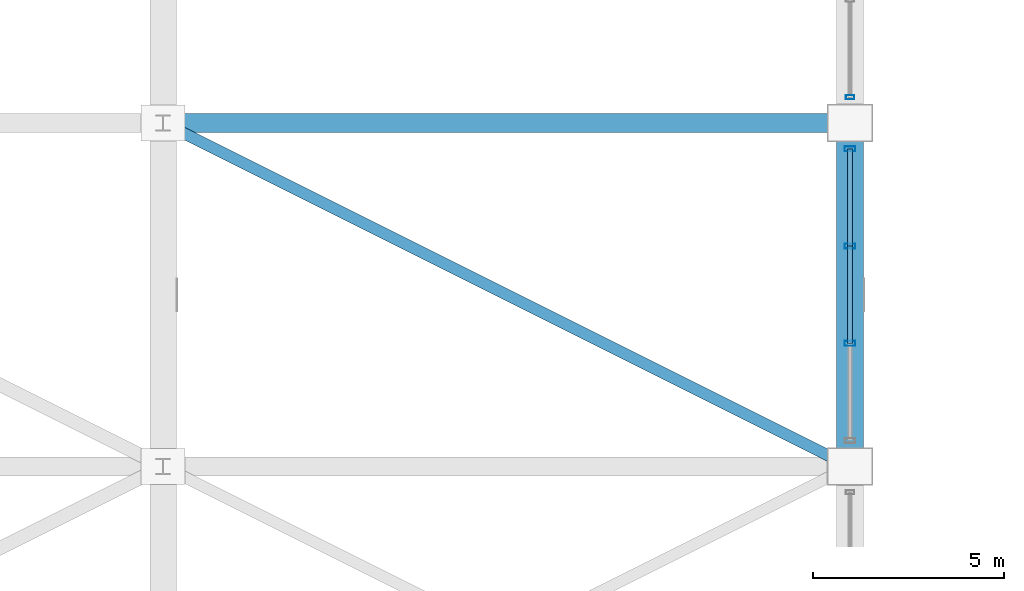
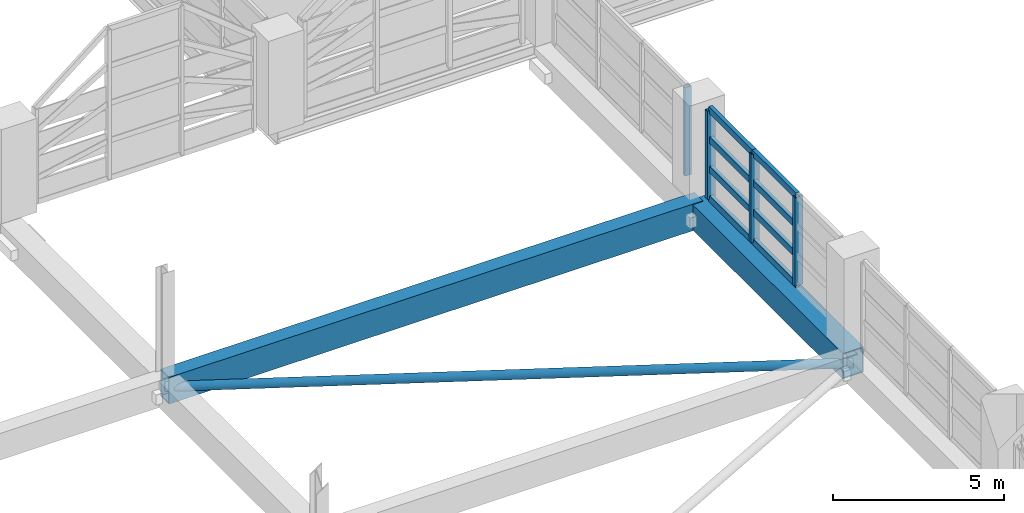
# One storey, part 51 of 116: 13 members, 2 beams, 2 elements without a shape of their own.
"""IFC4 building model written with IfcOpenShell, lengths in metres."""

from ifc_helpers import new_model, si_unit, direction, frame, origin, origin_2d, place, context, subcontext, project, spatial, hollow_rectangle, hollow_circle, extrude, material, material_profile, profile_set, type_object, element, aggregate, save


model = new_model("IFC4")

# Units and contexts
model_context = context("Model", 3, precision=1e-05, world=origin(), true_north=direction((0.0, 1.0)))
body_context = subcontext(model_context, "Body", "Model", "MODEL_VIEW")
ifc_project = project(units=[si_unit("LENGTHUNIT", "METRE"), si_unit("AREAUNIT", "SQUARE_METRE"), si_unit("VOLUMEUNIT", "CUBIC_METRE"), si_unit("PLANEANGLEUNIT", "RADIAN"), si_unit("MASSUNIT", "GRAM", prefix="KILO")], contexts=[model_context])

# Site, building, storey
site_placement = place(None, origin())
site = spatial("IfcSite", under=ifc_project, at=site_placement, CompositionType="ELEMENT")
building_placement = place(site_placement, origin())
building = spatial("IfcBuilding", under=site, at=building_placement, Name="Chuanluo Vaults Station", CompositionType="ELEMENT")
storey_placement = place(building_placement, frame((0.0, 0.0, 10.800048828125)))
storey = spatial("IfcBuildingStorey", under=building, at=storey_placement, Name="L02", CompositionType="ELEMENT", Elevation=10.800048828125)

# Beams
ifc_material_1 = material(Name="Steel Q390C", Category="steel")
ifc_material_profile_1 = material_profile(ifc_material_1, hollow_rectangle(XDim=0.5, YDim=0.949951171875, WallThickness=0.028076171875, at=origin_2d()))
ifc_profile_set_1 = profile_set([ifc_material_profile_1], Name="Steel Q390C")
beam_type_1 = type_object("IfcBeamType", Name="BM-TT-TIE", PredefinedType="USERDEFINED", material=ifc_profile_set_1)
beam_1_placement = place(storey_placement, frame((108.0, 94.5, -0.85009765625), z_axis=(1.0, 0.0, 0.0), x_axis=(0.0, 1.0, 0.0)))
element("IfcBeam", 1, at=beam_1_placement, inside=storey, type_object=beam_type_1, Name="Transfer truss top tie girder 7-94", ObjectType="GIRDER", PredefinedType="USERDEFINED", context=body_context, shape_type="SweptSolid", body=[
    extrude(hollow_rectangle(XDim=0.5, YDim=0.949951171875, WallThickness=0.028076171875, at=origin_2d()), origin(), (0.0, 0.0, 1.0), 18.0),
])
ifc_material_2 = material(Name="Steel Q390C", Category="steel")
ifc_material_profile_2 = material_profile(ifc_material_2, hollow_rectangle(XDim=0.699951171875, YDim=0.89990234375, WallThickness=0.035888671875, at=origin_2d()))
ifc_profile_set_2 = profile_set([ifc_material_profile_2], Name="Steel Q390C")
beam_type_2 = type_object("IfcBeamType", Name="BM-TT-TOP", PredefinedType="USERDEFINED", material=ifc_profile_set_2)
beam_2_placement = place(storey_placement, frame((126.0, 85.5, -0.85009765625), z_axis=(0.0, 1.0, 0.0), x_axis=(-1.0, 0.0, 0.0)))
element("IfcBeam", 2, at=beam_2_placement, inside=storey, type_object=beam_type_2, Name="Transfer truss TT-8 top chord 3", ObjectType="GIRDER", PredefinedType="USERDEFINED", context=body_context, shape_type="SweptSolid", body=[
    extrude(hollow_rectangle(XDim=0.699951171875, YDim=0.89990234375, WallThickness=0.035888671875, at=origin_2d()), origin(), (0.0, 0.0, 1.0), 9.0),
])

# Curtain wall, member
ifc_material_3 = material(Name="Anodised aluminium 6063-T6", Category="aluminium")
curtain_wall_type_1 = type_object("IfcCurtainWallType", Name="CW-SYS-20", PredefinedType="NOTDEFINED", material=ifc_material_3)
curtain_wall_1_placement = place(storey_placement, origin())
curtain_wall_1 = element("IfcCurtainWall", 3, at=curtain_wall_1_placement, inside=storey, type_object=curtain_wall_type_1, Name="Train shed east clerestory CW 94", PredefinedType="NOTDEFINED")
ifc_material_4 = material(Name="Anodised aluminium 6063-T6", Category="aluminium")
ifc_material_profile_3 = material_profile(ifc_material_4, hollow_rectangle(XDim=0.10498046875, YDim=0.219970703125, WallThickness=0.006103515625, at=origin_2d()))
ifc_profile_set_3 = profile_set([ifc_material_profile_3], Name="Anodised aluminium 6063-T6")
member_type_1 = type_object("IfcMemberType", Name="CWM-140", PredefinedType="MULLION", material=ifc_profile_set_3)
member_1_placement = place(storey_placement, frame((126.0, 95.175048828125, 0.0), z_axis=(0.0, 0.0, 1.0), x_axis=(0.0, -1.0, 0.0)))
member_1 = element("IfcMember", 4, at=member_1_placement, type_object=member_type_1, Name="Train shed east clerestory CW 94 mullion 4", PredefinedType="MULLION", context=body_context, shape_type="SweptSolid", body=[
    extrude(hollow_rectangle(XDim=0.10498046875, YDim=0.219970703125, WallThickness=0.006103515625, at=origin_2d()), origin(), (0.0, 0.0, 1.0), 3.14990234375),
])
aggregate(curtain_wall_1, [member_1])

# Curtain wall, members
ifc_material_5 = material(Name="Anodised aluminium 6063-T6", Category="aluminium")
curtain_wall_type_2 = type_object("IfcCurtainWallType", Name="CW-SYS-18", PredefinedType="NOTDEFINED", material=ifc_material_5)
curtain_wall_2_placement = place(storey_placement, origin())
curtain_wall_2 = element("IfcCurtainWall", 5, at=curtain_wall_2_placement, inside=storey, type_object=curtain_wall_type_2, Name="Train shed east clerestory CW 85", PredefinedType="NOTDEFINED")
ifc_material_6 = material(Name="Anodised aluminium 6063-T6", Category="aluminium")
ifc_material_profile_4 = material_profile(ifc_material_6, hollow_rectangle(XDim=0.1298828125, YDim=0.280029296875, WallThickness=0.007080078125, at=origin_2d()))
ifc_profile_set_4 = profile_set([ifc_material_profile_4], Name="Anodised aluminium 6063-T6")
member_type_2 = type_object("IfcMemberType", Name="CWM-180", PredefinedType="MULLION", material=ifc_profile_set_4)
member_2_placement = place(storey_placement, frame((126.0, 93.824951171875, 0.0), z_axis=(0.0, 0.0, 1.0), x_axis=(0.0, -1.0, 0.0)))
member_2 = element("IfcMember", 6, at=member_2_placement, type_object=member_type_2, Name="Train shed east clerestory CW 85 mullion 1", PredefinedType="MULLION", context=body_context, shape_type="SweptSolid", body=[
    extrude(hollow_rectangle(XDim=0.1298828125, YDim=0.280029296875, WallThickness=0.007080078125, at=origin_2d()), origin(), (0.0, 0.0, 1.0), 3.14990234375),
])
member_3_placement = place(storey_placement, frame((126.0, 91.27490234375, 0.0), z_axis=(0.0, 0.0, 1.0), x_axis=(0.0, -1.0, 0.0)))
member_3 = element("IfcMember", 7, at=member_3_placement, type_object=member_type_2, Name="Train shed east clerestory CW 85 mullion 2", PredefinedType="MULLION", context=body_context, shape_type="SweptSolid", body=[
    extrude(hollow_rectangle(XDim=0.1298828125, YDim=0.280029296875, WallThickness=0.007080078125, at=origin_2d()), origin(), (0.0, 0.0, 1.0), 3.14990234375),
])
member_4_placement = place(storey_placement, frame((126.0, 88.72509765625, 0.0), z_axis=(0.0, 0.0, 1.0), x_axis=(0.0, -1.0, 0.0)))
member_4 = element("IfcMember", 8, at=member_4_placement, type_object=member_type_2, Name="Train shed east clerestory CW 85 mullion 3", PredefinedType="MULLION", context=body_context, shape_type="SweptSolid", body=[
    extrude(hollow_rectangle(XDim=0.1298828125, YDim=0.280029296875, WallThickness=0.007080078125, at=origin_2d()), origin(), (0.0, 0.0, 1.0), 3.14990234375),
])
ifc_material_7 = material(Name="Anodised aluminium 6063-T6", Category="aluminium")
ifc_material_profile_5 = material_profile(ifc_material_7, hollow_rectangle(XDim=0.1298828125, YDim=0.22998046875, WallThickness=0.006103515625, at=origin_2d()))
ifc_profile_set_5 = profile_set([ifc_material_profile_5], Name="Anodised aluminium 6063-T6")
member_type_3 = type_object("IfcMemberType", Name="CWT-150", PredefinedType="USERDEFINED", material=ifc_profile_set_5)
member_5_placement = place(storey_placement, frame((126.0, 93.824951171875, 0.0), z_axis=(0.0, -1.0, 0.0), x_axis=(1.0, 0.0, 0.0)))
member_5 = element("IfcMember", 9, at=member_5_placement, type_object=member_type_3, Name="Train shed east clerestory CW 85 transom 1.1", ObjectType="TRANSOM", PredefinedType="USERDEFINED", context=body_context, shape_type="SweptSolid", body=[
    extrude(hollow_rectangle(XDim=0.1298828125, YDim=0.22998046875, WallThickness=0.006103515625, at=origin_2d()), origin(), (0.0, 0.0, 1.0), 2.550048828125),
])
member_6_placement = place(storey_placement, frame((126.0, 93.824951171875, 1.050048828125), z_axis=(0.0, -1.0, 0.0), x_axis=(1.0, 0.0, 0.0)))
member_6 = element("IfcMember", 10, at=member_6_placement, type_object=member_type_3, Name="Train shed east clerestory CW 85 transom 1.2", ObjectType="TRANSOM", PredefinedType="USERDEFINED", context=body_context, shape_type="SweptSolid", body=[
    extrude(hollow_rectangle(XDim=0.1298828125, YDim=0.22998046875, WallThickness=0.006103515625, at=origin_2d()), origin(), (0.0, 0.0, 1.0), 2.550048828125),
])
member_7_placement = place(storey_placement, frame((126.0, 93.824951171875, 2.099853515625), z_axis=(0.0, -1.0, 0.0), x_axis=(1.0, 0.0, 0.0)))
member_7 = element("IfcMember", 11, at=member_7_placement, type_object=member_type_3, Name="Train shed east clerestory CW 85 transom 1.3", ObjectType="TRANSOM", PredefinedType="USERDEFINED", context=body_context, shape_type="SweptSolid", body=[
    extrude(hollow_rectangle(XDim=0.1298828125, YDim=0.22998046875, WallThickness=0.006103515625, at=origin_2d()), origin(), (0.0, 0.0, 1.0), 2.550048828125),
])
member_8_placement = place(storey_placement, frame((126.0, 93.824951171875, 3.14990234375), z_axis=(0.0, -1.0, 0.0), x_axis=(1.0, 0.0, 0.0)))
member_8 = element("IfcMember", 12, at=member_8_placement, type_object=member_type_3, Name="Train shed east clerestory CW 85 transom 1.4", ObjectType="TRANSOM", PredefinedType="USERDEFINED", context=body_context, shape_type="SweptSolid", body=[
    extrude(hollow_rectangle(XDim=0.1298828125, YDim=0.22998046875, WallThickness=0.006103515625, at=origin_2d()), origin(), (0.0, 0.0, 1.0), 2.550048828125),
])
member_9_placement = place(storey_placement, frame((126.0, 91.27490234375, 0.0), z_axis=(0.0, -1.0, 0.0), x_axis=(1.0, 0.0, 0.0)))
member_9 = element("IfcMember", 13, at=member_9_placement, type_object=member_type_3, Name="Train shed east clerestory CW 85 transom 2.1", ObjectType="TRANSOM", PredefinedType="USERDEFINED", context=body_context, shape_type="SweptSolid", body=[
    extrude(hollow_rectangle(XDim=0.1298828125, YDim=0.22998046875, WallThickness=0.006103515625, at=origin_2d()), origin(), (0.0, 0.0, 1.0), 2.5498046875),
])
member_10_placement = place(storey_placement, frame((126.0, 91.27490234375, 1.050048828125), z_axis=(0.0, -1.0, 0.0), x_axis=(1.0, 0.0, 0.0)))
member_10 = element("IfcMember", 14, at=member_10_placement, type_object=member_type_3, Name="Train shed east clerestory CW 85 transom 2.2", ObjectType="TRANSOM", PredefinedType="USERDEFINED", context=body_context, shape_type="SweptSolid", body=[
    extrude(hollow_rectangle(XDim=0.1298828125, YDim=0.22998046875, WallThickness=0.006103515625, at=origin_2d()), origin(), (0.0, 0.0, 1.0), 2.5498046875),
])
member_11_placement = place(storey_placement, frame((126.0, 91.27490234375, 2.099853515625), z_axis=(0.0, -1.0, 0.0), x_axis=(1.0, 0.0, 0.0)))
member_11 = element("IfcMember", 15, at=member_11_placement, type_object=member_type_3, Name="Train shed east clerestory CW 85 transom 2.3", ObjectType="TRANSOM", PredefinedType="USERDEFINED", context=body_context, shape_type="SweptSolid", body=[
    extrude(hollow_rectangle(XDim=0.1298828125, YDim=0.22998046875, WallThickness=0.006103515625, at=origin_2d()), origin(), (0.0, 0.0, 1.0), 2.5498046875),
])
member_12_placement = place(storey_placement, frame((126.0, 91.27490234375, 3.14990234375), z_axis=(0.0, -1.0, 0.0), x_axis=(1.0, 0.0, 0.0)))
member_12 = element("IfcMember", 16, at=member_12_placement, type_object=member_type_3, Name="Train shed east clerestory CW 85 transom 2.4", ObjectType="TRANSOM", PredefinedType="USERDEFINED", context=body_context, shape_type="SweptSolid", body=[
    extrude(hollow_rectangle(XDim=0.1298828125, YDim=0.22998046875, WallThickness=0.006103515625, at=origin_2d()), origin(), (0.0, 0.0, 1.0), 2.5498046875),
])
aggregate(curtain_wall_2, [member_2, member_3, member_4, member_5, member_6, member_7, member_8, member_9, member_10, member_11, member_12])

# Member
ifc_material_8 = material(Name="Steel Q355C", Category="steel")
ifc_material_profile_6 = material_profile(ifc_material_8, hollow_circle(Radius=0.1494140625, WallThickness=0.011962890625, at=origin_2d()))
ifc_profile_set_6 = profile_set([ifc_material_profile_6], Name="Steel Q355C")
member_type_4 = type_object("IfcMemberType", Name="MEM-CHS-299", PredefinedType="BRACE", material=ifc_profile_set_6)
member_13_placement = place(storey_placement, frame((108.0, 94.5, -0.85009765625), z_axis=(0.894427191, -0.4472135955, 0.0), x_axis=(0.4472135955, 0.894427191, 0.0)))
element("IfcMember", 17, at=member_13_placement, inside=storey, type_object=member_type_4, Name="Over-track diaphragm brace 7-94", PredefinedType="BRACE", context=body_context, shape_type="SweptSolid", body=[
    extrude(hollow_circle(Radius=0.1494140625, WallThickness=0.011962890625, at=origin_2d()), origin(), (0.0, 0.0, 1.0), 20.12451171875),
])

save(model, "model.ifc")
